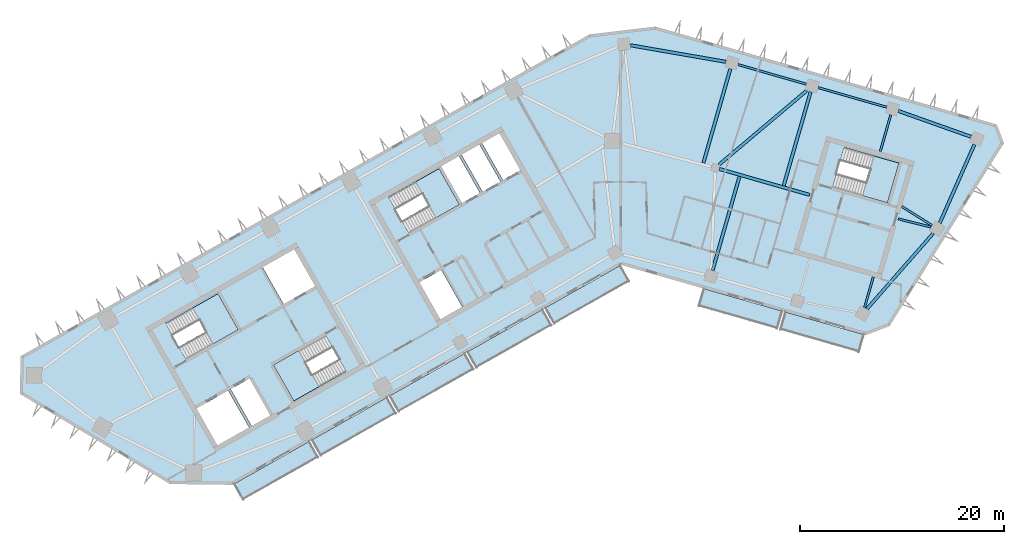
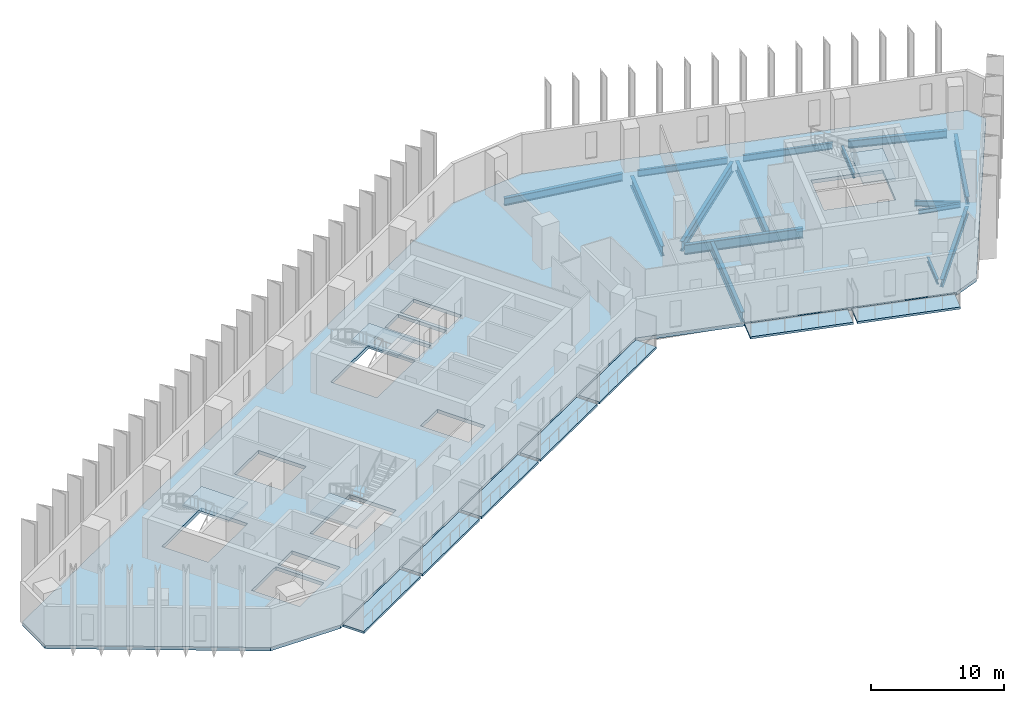
# One storey, part 2 of 10: 15 beams, 12 slabs, 4 elements without a shape of their own.
"""IFC4 building model written with IfcOpenShell, lengths in metres."""

from ifc_helpers import new_model, si_unit, direction, frame, origin, origin_2d, place, context, subcontext, project, spatial, polyline, i_section, outline, extrude, material, layer, layer_set, material_profile, profile_set, type_object, element, aggregate, save


model = new_model("IFC4")

# Units and contexts
model_context = context("Model", 3, precision=1e-05, world=origin(), true_north=direction((0.0, 1.0)))
body_context = subcontext(model_context, "Body", "Model", "MODEL_VIEW")
ifc_project = project(units=[si_unit("LENGTHUNIT", "METRE"), si_unit("AREAUNIT", "SQUARE_METRE"), si_unit("VOLUMEUNIT", "CUBIC_METRE"), si_unit("PLANEANGLEUNIT", "RADIAN"), si_unit("MASSUNIT", "GRAM", prefix="KILO")], contexts=[model_context])

# Site, building, storey
site_placement = place(None, origin())
site = spatial("IfcSite", under=ifc_project, at=site_placement, CompositionType="ELEMENT")
building_placement = place(site_placement, origin())
building = spatial("IfcBuilding", under=site, at=building_placement, Name="Binnacle Exchange Tower", CompositionType="ELEMENT")
storey_placement = place(building_placement, frame((0.0, 0.0, 194.89990234375)))
storey = spatial("IfcBuildingStorey", under=building, at=storey_placement, Name="L42", CompositionType="ELEMENT", Elevation=194.89990234375)

# Beams
ifc_material_1 = material(Name="Steel S355 (SHN355)", Category="steel")
ifc_material_profile_1 = material_profile(ifc_material_1, i_section(OverallWidth=0.201904296875, OverallDepth=0.612060546875, WebThickness=0.012939453125, FlangeThickness=0.02294921875, FilletRadius=0.02197265625, at=origin_2d()), Name="H 612x202x13x23")
ifc_profile_set_1 = profile_set([ifc_material_profile_1], Name="Steel S355 (SHN355)")
beam_type_1 = type_object("IfcBeamType", Name="Edge girder H 612x202x13x23 Steel S355 (SHN355)", PredefinedType="SPANDREL", material=ifc_profile_set_1)
for number, where, z_axis, x_axis, name in (
    (1, (18.16943359375, 65.54150390625, -0.6259765625), (-0.961255274252, 0.275659749916, 0.0), (-0.275659749916, -0.961255274252, 0.0), "S:BM:edge:L42:029"),
    (2, (26.02587890625, 63.288818359375, -0.6259765625), (-0.961267211469, 0.275618120149, 0.0), (-0.275618120149, -0.961267211469, 0.0), "S:BM:edge:L42:031"),
):
    element("IfcBeam", number, at=place(storey_placement, frame(where, z_axis=z_axis, x_axis=x_axis)), inside=storey, type_object=beam_type_1, Name=name, PredefinedType="SPANDREL", context=body_context, shape_type="SweptSolid", body=[
        extrude(i_section(OverallWidth=0.201904296875, OverallDepth=0.612060546875, WebThickness=0.012939453125, FlangeThickness=0.02294921875, FilletRadius=0.02197265625, at=origin_2d()), origin(), (0.0, 0.0, 1.0), 6.972900390625),
    ])
ifc_material_profile_2 = material_profile(ifc_material_1, i_section(OverallWidth=0.300048828125, OverallDepth=0.699951171875, WebThickness=0.012939453125, FlangeThickness=0.02392578125, FilletRadius=0.028076171875, at=origin_2d()), Name="H 700x300x13x24")
ifc_profile_set_2 = profile_set([ifc_material_profile_2], Name="Steel S355 (SHN355)")
beam_type_2 = type_object("IfcBeamType", Name="Edge girder H 700x300x13x24 Steel S355 (SHN355)", PredefinedType="SPANDREL", material=ifc_profile_set_2)
beam_1_placement = place(storey_placement, frame((31.234130859375, 51.94091796875, -0.669921875), z_axis=(0.403470856186, 0.914992496258, 0.0), x_axis=(-0.914992496258, 0.403470856186, 0.0)))
element("IfcBeam", 3, at=beam_1_placement, inside=storey, type_object=beam_type_2, Name="S:BM:edge:L42:032", PredefinedType="SPANDREL", context=body_context, shape_type="SweptSolid", body=[
    extrude(i_section(OverallWidth=0.300048828125, OverallDepth=0.699951171875, WebThickness=0.012939453125, FlangeThickness=0.02392578125, FilletRadius=0.028076171875, at=origin_2d()), origin(), (0.0, 0.0, 1.0), 8.412109375),
])
beam_2_placement = place(storey_placement, frame((34.30419921875, 60.38818359375, -0.669921875), z_axis=(-0.942327723458, 0.334691591771, 0.0), x_axis=(-0.334691591771, -0.942327723458, 0.0)))
element("IfcBeam", 4, at=beam_2_placement, inside=storey, type_object=beam_type_2, Name="S:BM:edge:L42:033", PredefinedType="SPANDREL", context=body_context, shape_type="SweptSolid", body=[
    extrude(i_section(OverallWidth=0.300048828125, OverallDepth=0.699951171875, WebThickness=0.012939453125, FlangeThickness=0.02392578125, FilletRadius=0.028076171875, at=origin_2d()), origin(), (0.0, 0.0, 1.0), 7.57177734375),
])
ifc_material_profile_3 = material_profile(ifc_material_1, i_section(OverallWidth=0.302001953125, OverallDepth=0.7080078125, WebThickness=0.014892578125, FlangeThickness=0.028076171875, FilletRadius=0.028076171875, at=origin_2d()), Name="H 708x302x15x28")
ifc_profile_set_3 = profile_set([ifc_material_profile_3], Name="Steel S355 (SHN355)")
beam_type_3 = type_object("IfcBeamType", Name="Edge girder H 708x302x15x28 Steel S355 (SHN355)", PredefinedType="SPANDREL", material=ifc_profile_set_3)
beam_3_placement = place(storey_placement, frame((10.29541015625, 67.73193359375, -0.673828125), z_axis=(-0.985309861954, 0.170776098841, 0.0), x_axis=(-0.170776098841, -0.985309861954, 0.0)))
element("IfcBeam", 5, at=beam_3_placement, inside=storey, type_object=beam_type_3, Name="S:BM:edge:L42:027", PredefinedType="SPANDREL", context=body_context, shape_type="SweptSolid", body=[
    extrude(i_section(OverallWidth=0.302001953125, OverallDepth=0.7080078125, WebThickness=0.014892578125, FlangeThickness=0.028076171875, FilletRadius=0.028076171875, at=origin_2d()), origin(), (0.0, 0.0, 1.0), 9.518310546875),
])
beam_4_placement = place(storey_placement, frame((24.09326171875, 43.5224609375, -0.673828125), z_axis=(0.659335841855, 0.751848553663, 0.0), x_axis=(-0.751848553663, 0.659335841855, 0.0)))
element("IfcBeam", 6, at=beam_4_placement, inside=storey, type_object=beam_type_3, Name="S:BM:edge:L42:030", PredefinedType="SPANDREL", context=body_context, shape_type="SweptSolid", body=[
    extrude(i_section(OverallWidth=0.302001953125, OverallDepth=0.7080078125, WebThickness=0.014892578125, FlangeThickness=0.028076171875, FilletRadius=0.028076171875, at=origin_2d()), origin(), (0.0, 0.0, 1.0), 9.851318359375),
])
ifc_material_profile_4 = material_profile(ifc_material_1, i_section(OverallWidth=0.199951171875, OverallDepth=0.449951171875, WebThickness=0.009033203125, FlangeThickness=0.013916015625, FilletRadius=0.01806640625, at=origin_2d()), Name="H 450x200x9x14")
ifc_profile_set_4 = profile_set([ifc_material_profile_4], Name="Steel S355 (SHN355)")
beam_type_4 = type_object("IfcBeamType", Name="Floor beam H 450x200x9x14 Steel S355 (SHN355)", PredefinedType="BEAM", material=ifc_profile_set_4)
beam_5_placement = place(storey_placement, frame((23.860595703125, 43.6572265625, -0.544921875), z_axis=(0.275637043779, 0.961261785414, 0.0), x_axis=(-0.961261785414, 0.275637043779, 0.0)))
element("IfcBeam", 7, at=beam_5_placement, inside=storey, type_object=beam_type_4, Name="S:BM:cross:L42:051", PredefinedType="BEAM", context=body_context, shape_type="SweptSolid", body=[
    extrude(i_section(OverallWidth=0.199951171875, OverallDepth=0.449951171875, WebThickness=0.009033203125, FlangeThickness=0.013916015625, FilletRadius=0.01806640625, at=origin_2d()), origin(), (0.0, 0.0, 1.0), 3.1328125),
])
ifc_material_profile_5 = material_profile(ifc_material_1, i_section(OverallWidth=0.199951171875, OverallDepth=0.5, WebThickness=0.010009765625, FlangeThickness=0.01611328125, FilletRadius=0.02001953125, at=origin_2d()), Name="H 500x200x10x16")
ifc_profile_set_5 = profile_set([ifc_material_profile_5], Name="Steel S355 (SHN355)")
beam_type_5 = type_object("IfcBeamType", Name="Floor beam H 500x200x10x16 Steel S355 (SHN355)", PredefinedType="BEAM", material=ifc_profile_set_5)
beam_6_placement = place(storey_placement, frame((26.437255859375, 62.546630859375, -0.56982421875), z_axis=(-0.275644746045, -0.961259576794, 0.0), x_axis=(0.961259576794, -0.275644746045, 0.0)))
element("IfcBeam", 8, at=beam_6_placement, inside=storey, type_object=beam_type_5, Name="S:BM:cross:L42:052", PredefinedType="BEAM", context=body_context, shape_type="SweptSolid", body=[
    extrude(i_section(OverallWidth=0.199951171875, OverallDepth=0.5, WebThickness=0.010009765625, FlangeThickness=0.01611328125, FilletRadius=0.02001953125, at=origin_2d()), origin(), (0.0, 0.0, 1.0), 3.735107421875),
])
beam_7_placement = place(storey_placement, frame((30.480712890625, 51.704345703125, -0.56982421875), z_axis=(-0.848084620748, 0.529860808186, 0.0), x_axis=(-0.529860808186, -0.848084620748, 0.0)))
element("IfcBeam", 9, at=beam_7_placement, inside=storey, type_object=beam_type_5, Name="S:BM:cross:L42:053", PredefinedType="BEAM", context=body_context, shape_type="SweptSolid", body=[
    extrude(i_section(OverallWidth=0.199951171875, OverallDepth=0.5, WebThickness=0.010009765625, FlangeThickness=0.01611328125, FilletRadius=0.02001953125, at=origin_2d()), origin(), (0.0, 0.0, 1.0), 3.495361328125),
])
ifc_material_profile_6 = material_profile(ifc_material_1, i_section(OverallWidth=0.302001953125, OverallDepth=0.912109375, WebThickness=0.01806640625, FlangeThickness=0.033935546875, FilletRadius=0.028076171875, at=origin_2d()), Name="H 912x302x18x34")
ifc_profile_set_6 = profile_set([ifc_material_profile_6], Name="Steel S355 (SHN355)")
beam_type_6 = type_object("IfcBeamType", Name="Floor beam H 912x302x18x34 Steel S355 (SHN355)", PredefinedType="BEAM", material=ifc_profile_set_6)
beam_8_placement = place(storey_placement, frame((8.974853515625, 47.299072265625, -0.77587890625), z_axis=(0.275642748758, 0.961260149521, 0.0), x_axis=(-0.961260149521, 0.275642748758, 0.0)))
element("IfcBeam", 10, at=beam_8_placement, inside=storey, type_object=beam_type_6, Name="S:BM:cross:L42:047", PredefinedType="BEAM", context=body_context, shape_type="SweptSolid", body=[
    extrude(i_section(OverallWidth=0.302001953125, OverallDepth=0.912109375, WebThickness=0.01806640625, FlangeThickness=0.033935546875, FilletRadius=0.028076171875, at=origin_2d()), origin(), (0.0, 0.0, 1.0), 9.585205078125),
])
beam_9_placement = place(storey_placement, frame((10.724609375, 67.05224609375, -0.77587890625), z_axis=(-0.275623285325, -0.961265730475, 0.0), x_axis=(0.961265730475, -0.275623285325, 0.0)))
element("IfcBeam", 11, at=beam_9_placement, inside=storey, type_object=beam_type_6, Name="S:BM:cross:L42:048", PredefinedType="BEAM", context=body_context, shape_type="SweptSolid", body=[
    extrude(i_section(OverallWidth=0.302001953125, OverallDepth=0.912109375, WebThickness=0.01806640625, FlangeThickness=0.033935546875, FilletRadius=0.028076171875, at=origin_2d()), origin(), (0.0, 0.0, 1.0), 9.61328125),
])
beam_10_placement = place(storey_placement, frame((18.580810546875, 64.79931640625, -0.77587890625), z_axis=(-0.275625961623, -0.961264963098, 0.0), x_axis=(0.961264963098, -0.275625961623, 0.0)))
element("IfcBeam", 12, at=beam_10_placement, inside=storey, type_object=beam_type_6, Name="S:BM:cross:L42:050", PredefinedType="BEAM", context=body_context, shape_type="SweptSolid", body=[
    extrude(i_section(OverallWidth=0.302001953125, OverallDepth=0.912109375, WebThickness=0.01806640625, FlangeThickness=0.033935546875, FilletRadius=0.028076171875, at=origin_2d()), origin(), (0.0, 0.0, 1.0), 9.5849609375),
])
ifc_material_profile_7 = material_profile(ifc_material_1, i_section(OverallWidth=0.199951171875, OverallDepth=0.39990234375, WebThickness=0.008056640625, FlangeThickness=0.012939453125, FilletRadius=0.01611328125, at=origin_2d()), Name="H 400x200x8x13")
ifc_profile_set_7 = profile_set([ifc_material_profile_7], Name="Steel S355 (SHN355)")
beam_type_7 = type_object("IfcBeamType", Name="Spine girder H 400x200x8x13 Steel S355 (SHN355)", PredefinedType="BEAM", material=ifc_profile_set_7)
beam_11_placement = place(storey_placement, frame((27.17138671875, 52.35400390625, -0.52001953125), z_axis=(0.969342999561, -0.245711516217, 0.0), x_axis=(0.245711516217, 0.969342999561, 0.0)))
element("IfcBeam", 13, at=beam_11_placement, inside=storey, type_object=beam_type_7, Name="S:BM:spine:L42:010", PredefinedType="BEAM", context=body_context, shape_type="SweptSolid", body=[
    extrude(i_section(OverallWidth=0.199951171875, OverallDepth=0.39990234375, WebThickness=0.008056640625, FlangeThickness=0.012939453125, FilletRadius=0.01611328125, at=origin_2d()), origin(), (0.0, 0.0, 1.0), 3.30859375),
])
ifc_material_profile_8 = material_profile(ifc_material_1, i_section(OverallWidth=0.302001953125, OverallDepth=0.912109375, WebThickness=0.01806640625, FlangeThickness=0.033935546875, FilletRadius=0.028076171875, at=origin_2d()), Name="H 912x302x18x34")
ifc_profile_set_8 = profile_set([ifc_material_profile_8], Name="Steel S355 (SHN355)")
beam_type_8 = type_object("IfcBeamType", Name="Spine girder H 912x302x18x34 Steel S355 (SHN355)", PredefinedType="BEAM", material=ifc_profile_set_8)
beam_12_placement = place(storey_placement, frame((9.60888671875, 57.660888671875, -0.77587890625), z_axis=(0.764057522707, 0.645148124073, 0.0), x_axis=(-0.645148124073, 0.764057522707, 0.0)))
element("IfcBeam", 14, at=beam_12_placement, inside=storey, type_object=beam_type_8, Name="S:BM:spine:L42:008", PredefinedType="BEAM", context=body_context, shape_type="SweptSolid", body=[
    extrude(i_section(OverallWidth=0.302001953125, OverallDepth=0.912109375, WebThickness=0.01806640625, FlangeThickness=0.033935546875, FilletRadius=0.028076171875, at=origin_2d()), origin(), (0.0, 0.0, 1.0), 11.237060546875),
])
beam_13_placement = place(storey_placement, frame((9.62548828125, 57.239990234375, -0.77587890625), z_axis=(0.961259511383, -0.275644974153, 0.0), x_axis=(0.275644974153, 0.961259511383, 0.0)))
element("IfcBeam", 15, at=beam_13_placement, inside=storey, type_object=beam_type_8, Name="S:BM:spine:L42:009", PredefinedType="BEAM", context=body_context, shape_type="SweptSolid", body=[
    extrude(i_section(OverallWidth=0.302001953125, OverallDepth=0.912109375, WebThickness=0.01806640625, FlangeThickness=0.033935546875, FilletRadius=0.028076171875, at=origin_2d()), origin(), (0.0, 0.0, 1.0), 9.213134765625),
])

# Slabs
ifc_material_2 = material(Name="Concrete C35/45", Category="concrete")
ifc_layer_1 = layer(ifc_material_2, 0.199951171875)
ifc_layer_set_1 = layer_set([ifc_layer_1], Name="BALCONY SLAB 200")
slab_type_1 = type_object("IfcSlabType", Name="BALCONY SLAB 200", PredefinedType="FLOOR", material=ifc_layer_set_1)
slab_1_placement = place(storey_placement, frame((0.0, 0.0, -0.199951171875)))
element("IfcSlab", 16, at=slab_1_placement, inside=storey, type_object=slab_type_1, Name="Balcony BA-G01-00 L42", PredefinedType="FLOOR", context=body_context, shape_type="SweptSolid", body=[
    extrude(outline(polyline([(-37.893310546875, 26.388671875), (-30.534912109375, 30.5517578125), (-29.648681640625, 28.985107421875), (-37.007080078125, 24.822021484375), (-37.893310546875, 26.388671875)])), origin(), (0.0, 0.0, 1.0), 0.199951171875),
])
slab_2_placement = place(storey_placement, frame((0.0, 0.0, -0.199951171875)))
element("IfcSlab", 17, at=slab_2_placement, inside=storey, type_object=slab_type_1, Name="Balcony BA-G01-01 L42", PredefinedType="FLOOR", context=body_context, shape_type="SweptSolid", body=[
    extrude(outline(polyline([(-30.27392578125, 30.699462890625), (-22.915283203125, 34.86279296875), (-22.029052734375, 33.296142578125), (-29.387451171875, 29.1328125), (-30.27392578125, 30.699462890625)])), origin(), (0.0, 0.0, 1.0), 0.199951171875),
])
slab_3_placement = place(storey_placement, frame((0.0, 0.0, -0.199951171875)))
element("IfcSlab", 18, at=slab_3_placement, inside=storey, type_object=slab_type_1, Name="Balcony BA-G01-02 L42", PredefinedType="FLOOR", context=body_context, shape_type="SweptSolid", body=[
    extrude(outline(polyline([(-22.654296875, 35.010498046875), (-15.2958984375, 39.173583984375), (-14.409423828125, 37.607177734375), (-21.767822265625, 33.44384765625), (-22.654296875, 35.010498046875)])), origin(), (0.0, 0.0, 1.0), 0.199951171875),
])
slab_4_placement = place(storey_placement, frame((0.0, 0.0, -0.199951171875)))
element("IfcSlab", 19, at=slab_4_placement, inside=storey, type_object=slab_type_1, Name="Balcony BA-G01-03 L42", PredefinedType="FLOOR", context=body_context, shape_type="SweptSolid", body=[
    extrude(outline(polyline([(-15.03466796875, 39.3212890625), (-7.67626953125, 43.484619140625), (-6.789794921875, 41.91796875), (-14.148193359375, 37.7548828125), (-15.03466796875, 39.3212890625)])), origin(), (0.0, 0.0, 1.0), 0.199951171875),
])
slab_5_placement = place(storey_placement, frame((0.0, 0.0, -0.199951171875)))
element("IfcSlab", 20, at=slab_5_placement, inside=storey, type_object=slab_type_1, Name="Balcony BA-G01-04 L42", PredefinedType="FLOOR", context=body_context, shape_type="SweptSolid", body=[
    extrude(outline(polyline([(-7.4150390625, 43.63232421875), (-0.056640625, 47.795654296875), (0.82958984375, 46.22900390625), (-6.52880859375, 42.06591796875), (-7.4150390625, 43.63232421875)])), origin(), (0.0, 0.0, 1.0), 0.199951171875),
])
slab_6_placement = place(storey_placement, frame((0.0, 0.0, -0.199951171875)))
element("IfcSlab", 21, at=slab_6_placement, inside=storey, type_object=slab_type_1, Name="Balcony BA-G02-01 L42", PredefinedType="FLOOR", context=body_context, shape_type="SweptSolid", body=[
    extrude(outline(polyline([(8.100830078125, 45.52099609375), (15.810546875, 43.310302734375), (15.314453125, 41.580078125), (7.604736328125, 43.790771484375), (8.100830078125, 45.52099609375)])), origin(), (0.0, 0.0, 1.0), 0.199951171875),
])
slab_7_placement = place(storey_placement, frame((0.0, 0.0, -0.199951171875)))
element("IfcSlab", 22, at=slab_7_placement, inside=storey, type_object=slab_type_1, Name="Balcony BA-G02-02 L42", PredefinedType="FLOOR", context=body_context, shape_type="SweptSolid", body=[
    extrude(outline(polyline([(16.09912109375, 43.2275390625), (23.80859375, 41.016845703125), (23.3125, 39.28662109375), (15.602783203125, 41.497314453125), (16.09912109375, 43.2275390625)])), origin(), (0.0, 0.0, 1.0), 0.199951171875),
])
ifc_layer_2 = layer(ifc_material_2, 0.320068359375)
ifc_layer_set_2 = layer_set([ifc_layer_2], Name="Floor slab 320 Concrete C35/45")
slab_type_2 = type_object("IfcSlabType", Name="Floor slab 320 Concrete C35/45", PredefinedType="FLOOR", material=ifc_layer_set_2)
slab_8_placement = place(storey_placement, frame((0.0, 0.0, -0.31982421875)))
element("IfcSlab", 23, at=slab_8_placement, inside=storey, type_object=slab_type_2, Name="S:SL:L42:01", PredefinedType="FLOOR", context=body_context, shape_type="SweptSolid", body=[
    extrude(outline(polyline([(-58.716064453125, 35.280029296875), (-58.669921875, 38.80615234375), (-3.046142578125, 70.276611328125), (3.364501953125, 71.035400390625), (36.71240234375, 61.472900390625), (37.359375, 59.787353515625), (26.23095703125, 41.978515625), (23.994140625, 41.119873046875), (0.0, 48.0), (-38.097900390625, 26.4453125), (-44.14404296875, 26.5244140625), (-58.716064453125, 35.280029296875)]), holes=[polyline([(-38.4794921875, 35.529296875), (-41.61279296875, 33.756591796875), (-39.544677734375, 30.10107421875), (-36.411376953125, 31.873779296875), (-38.4794921875, 35.529296875)]), polyline([(-36.390625, 36.711181640625), (-38.21826171875, 35.677001953125), (-36.150146484375, 32.021484375), (-34.322509765625, 33.0556640625), (-36.390625, 36.711181640625)]), polyline([(-32.04638671875, 34.515625), (-26.9287109375, 37.4111328125), (-28.923095703125, 40.93603515625), (-34.040771484375, 38.04052734375), (-32.04638671875, 34.515625)]), polyline([(-37.486572265625, 41.4912109375), (-39.480712890625, 45.01611328125), (-44.598388671875, 42.12060546875), (-42.604248046875, 38.595703125), (-37.486572265625, 41.4912109375)]), polyline([(-29.914306640625, 45.775390625), (-31.982666015625, 49.430908203125), (-35.115966796875, 47.657958984375), (-33.047607421875, 44.00244140625), (-29.914306640625, 45.775390625)]), polyline([(-17.81689453125, 57.27294921875), (-22.760498046875, 54.47607421875), (-20.76611328125, 50.950927734375), (-15.822509765625, 53.748046875), (-17.81689453125, 57.27294921875)]), polyline([(-15.53076171875, 43.6875), (-17.598876953125, 47.343017578125), (-19.77490234375, 46.11181640625), (-17.70654296875, 42.456298828125), (-15.53076171875, 43.6875)]), polyline([(-13.82080078125, 54.880615234375), (-15.888916015625, 58.5361328125), (-17.629638671875, 57.55126953125), (-15.5615234375, 53.895751953125), (-13.82080078125, 54.880615234375)]), polyline([(27.227783203125, 57.810302734375), (21.864013671875, 59.348388671875), (20.74755859375, 55.455078125), (26.111328125, 53.9169921875), (27.227783203125, 57.810302734375)]), polyline([(-11.819091796875, 56.01318359375), (-13.88720703125, 59.668701171875), (-15.6279296875, 58.683837890625), (-13.559814453125, 55.0283203125), (-11.819091796875, 56.01318359375)]), polyline([(-9.817138671875, 57.145751953125), (-11.885498046875, 60.80126953125), (-13.626220703125, 59.81640625), (-11.557861328125, 56.160888671875), (-9.817138671875, 57.145751953125)])]), origin(), (0.0, 0.0, 1.0), 0.31982421875),
])

# Stair, slab
stair_type = type_object("IfcStairType", Name="STAIR 24 RISERS 167", PredefinedType="HALF_TURN_STAIR", material=ifc_material_2)
stair_1_placement = place(storey_placement, origin())
stair_1 = element("IfcStair", 24, at=stair_1_placement, inside=storey, type_object=stair_type, Name="L42 Escape stair A1", PredefinedType="HALF_TURN_STAIR")
ifc_layer_3 = layer(ifc_material_2, 0.199951171875)
ifc_layer_set_3 = layer_set([ifc_layer_3], Name="STAIR LANDING 200")
slab_type_3 = type_object("IfcSlabType", Name="STAIR LANDING 200", PredefinedType="LANDING", material=ifc_layer_set_3)
slab_9_placement = place(storey_placement, frame((0.0, 0.0, 1.800048828125)))
slab_9 = element("IfcSlab", 25, at=slab_9_placement, type_object=slab_type_3, Name="STA1 landing 1", PredefinedType="LANDING", context=body_context, shape_type="SweptSolid", body=[
    extrude(outline(polyline([(-39.958251953125, 40.0927734375), (-37.486572265625, 41.4912109375), (-39.48095703125, 45.01611328125), (-41.95263671875, 43.61767578125), (-39.958251953125, 40.0927734375)])), origin(), (0.0, 0.0, 1.0), 0.199951171875),
])
aggregate(stair_1, [slab_9])

stair_2_placement = place(storey_placement, origin())
stair_2 = element("IfcStair", 26, at=stair_2_placement, inside=storey, type_object=stair_type, Name="L42 Escape stair A2", PredefinedType="HALF_TURN_STAIR")
slab_10_placement = place(storey_placement, frame((0.0, 0.0, 1.800048828125)))
slab_10 = element("IfcSlab", 27, at=slab_10_placement, type_object=slab_type_3, Name="STA2 landing 1", PredefinedType="LANDING", context=body_context, shape_type="SweptSolid", body=[
    extrude(outline(polyline([(-31.56884765625, 39.439208984375), (-34.040771484375, 38.04052734375), (-32.04638671875, 34.515625), (-29.574462890625, 35.9140625), (-31.56884765625, 39.439208984375)])), origin(), (0.0, 0.0, 1.0), 0.199951171875),
])
aggregate(stair_2, [slab_10])

stair_3_placement = place(storey_placement, origin())
stair_3 = element("IfcStair", 28, at=stair_3_placement, inside=storey, type_object=stair_type, Name="L42 Escape stair C1", PredefinedType="HALF_TURN_STAIR")
slab_11_placement = place(storey_placement, frame((0.0, 0.0, 1.800048828125)))
slab_11 = element("IfcSlab", 29, at=slab_11_placement, type_object=slab_type_3, Name="STC1 landing 1", PredefinedType="LANDING", context=body_context, shape_type="SweptSolid", body=[
    extrude(outline(polyline([(-18.120361328125, 52.447998046875), (-15.822509765625, 53.748046875), (-17.81689453125, 57.27294921875), (-20.11474609375, 55.972900390625), (-18.120361328125, 52.447998046875)])), origin(), (0.0, 0.0, 1.0), 0.199951171875),
])
aggregate(stair_3, [slab_11])

stair_4_placement = place(storey_placement, origin())
stair_4 = element("IfcStair", 30, at=stair_4_placement, inside=storey, type_object=stair_type, Name="L42 Escape stair D1", PredefinedType="HALF_TURN_STAIR")
slab_12_placement = place(storey_placement, frame((0.0, 0.0, 1.800048828125)))
slab_12 = element("IfcSlab", 31, at=slab_12_placement, type_object=slab_type_3, Name="STD1 landing 1", PredefinedType="LANDING", context=body_context, shape_type="SweptSolid", body=[
    extrude(outline(polyline([(23.669677734375, 54.6171875), (26.111328125, 53.917236328125), (27.227783203125, 57.810302734375), (24.7861328125, 58.51025390625), (23.669677734375, 54.6171875)])), origin(), (0.0, 0.0, 1.0), 0.199951171875),
])
aggregate(stair_4, [slab_12])

save(model, "model.ifc")
